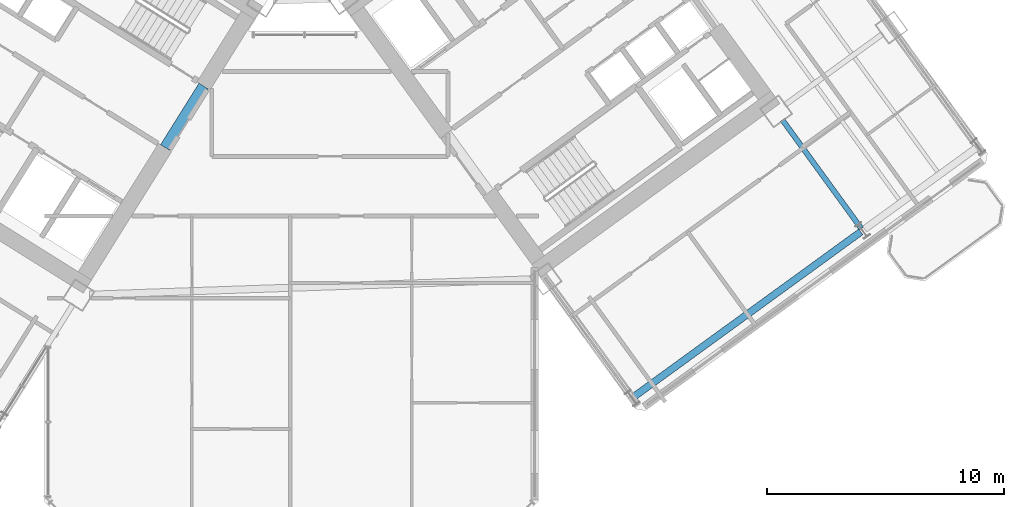
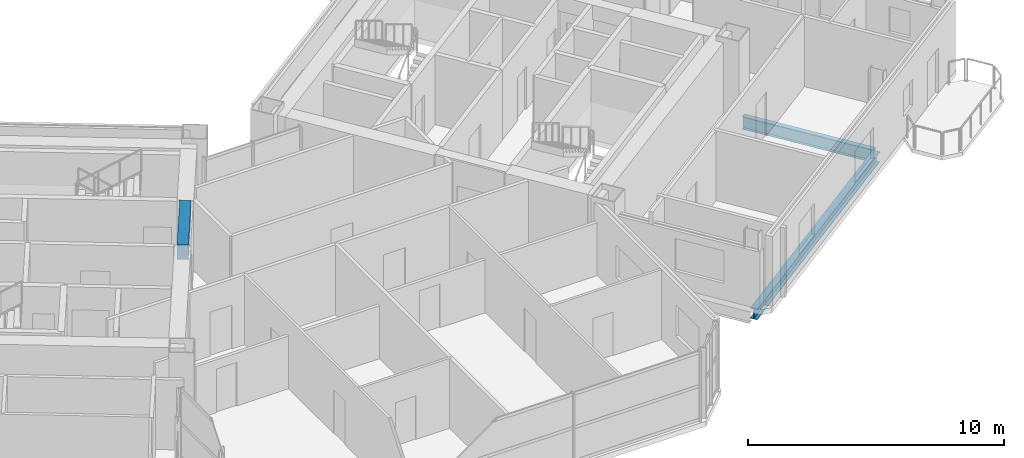
# One storey, part 10 of 28: 3 beams.
"""IFC4 building model written with IfcOpenShell, lengths in metres."""

from ifc_helpers import new_model, si_unit, direction, frame, origin, origin_2d, place, context, subcontext, project, spatial, rectangle, i_section, extrude, source, transform, mapped, material, material_profile, profile_set, type_object, element, save


model = new_model("IFC4")

# Units and contexts
model_context = context("Model", 3, precision=1e-05, world=origin(), true_north=direction((0.0, 1.0)))
body_context = subcontext(model_context, "Body", "Model", "MODEL_VIEW")
ifc_project = project(units=[si_unit("LENGTHUNIT", "METRE"), si_unit("AREAUNIT", "SQUARE_METRE"), si_unit("VOLUMEUNIT", "CUBIC_METRE"), si_unit("PLANEANGLEUNIT", "RADIAN"), si_unit("MASSUNIT", "GRAM", prefix="KILO")], contexts=[model_context])

# Site, building, storey
site_placement = place(None, origin())
site = spatial("IfcSite", under=ifc_project, at=site_placement, CompositionType="ELEMENT")
building_placement = place(site_placement, origin())
building = spatial("IfcBuilding", under=site, at=building_placement, Name="Tlacorven Tower", CompositionType="ELEMENT")
storey_placement = place(building_placement, frame((0.0, 0.0, 56.39990234375)))
storey = spatial("IfcBuildingStorey", under=building, at=storey_placement, Name="L14", CompositionType="ELEMENT", Elevation=56.39990234375)

# Beams
ifc_material_1 = material(Name="Concrete C60/75", Category="concrete")
ifc_material_profile_1 = material_profile(ifc_material_1, rectangle(XDim=0.449951171875, YDim=0.699951171875, at=origin_2d()), Name="RC 450X700")
ifc_profile_set_1 = profile_set([ifc_material_profile_1], Name="Concrete C60/75")
beam_type_1 = type_object("IfcBeamType", Name="BM-LNT-700", PredefinedType="LINTEL", material=ifc_profile_set_1)
shared_shape_1 = source(origin(), body_context, "Body", "SweptSolid", [
    extrude(rectangle(XDim=0.449951171875, YDim=0.699951171875, at=origin_2d()), origin(), (0.0, 0.0, 1.0), 3.050048828125),
])
beam_1_placement = place(storey_placement, frame((38.2998046875, 20.890625, 3.0), z_axis=(-0.529984549635, -0.848007297815, 0.0), x_axis=(0.848007297815, -0.529984549635, 0.0)))
element("IfcBeam", 1, at=beam_1_placement, inside=storey, type_object=beam_type_1, Name="L14 W core coupling lintel beam E1", PredefinedType="LINTEL", context=body_context, shape_type="MappedRepresentation", body=[
    mapped(shared_shape_1, transform((0.0, 0.0, 0.0), scale=1.0)),
])
ifc_material_2 = material(Name="Steel S355J2", Category="steel")
ifc_material_profile_2 = material_profile(ifc_material_2, i_section(OverallWidth=0.219970703125, OverallDepth=0.60009765625, WebThickness=0.011962890625, FlangeThickness=0.01904296875, at=origin_2d()), Name="IPE 600")
ifc_profile_set_2 = profile_set([ifc_material_profile_2], Name="Steel S355J2")
beam_type_2 = type_object("IfcBeamType", Name="BM-TWR-600", PredefinedType="BEAM", material=ifc_profile_set_2)
shared_shape_2 = source(origin(), body_context, "Body", "SweptSolid", [
    extrude(i_section(OverallWidth=0.219970703125, OverallDepth=0.60009765625, WebThickness=0.011962890625, FlangeThickness=0.01904296875, at=origin_2d()), origin(), (0.0, 0.0, 1.0), 5.64990234375),
])
beam_2_placement = place(storey_placement, frame((65.9990234375, 14.891845703125, -0.5498046875), z_axis=(-0.587755393186, 0.809038687444, 0.0), x_axis=(-0.809038687444, -0.587755393186, 0.0)))
element("IfcBeam", 2, at=beam_2_placement, inside=storey, type_object=beam_type_2, Name="L14 beam BM-L14-ET3-1", PredefinedType="BEAM", context=body_context, shape_type="MappedRepresentation", body=[
    mapped(shared_shape_2, transform((0.0, 0.0, 0.0), scale=1.0)),
])
ifc_material_profile_3 = material_profile(ifc_material_2, i_section(OverallWidth=0.300048828125, OverallDepth=0.489990234375, WebThickness=0.011962890625, FlangeThickness=0.02294921875, at=origin_2d()), Name="HEA 500")
ifc_profile_set_3 = profile_set([ifc_material_profile_3], Name="Steel S355J2")
beam_type_3 = type_object("IfcBeamType", Name="BM-SPN-500", PredefinedType="SPANDREL", material=ifc_profile_set_3)
shared_shape_3 = source(origin(), body_context, "Body", "SweptSolid", [
    extrude(i_section(OverallWidth=0.300048828125, OverallDepth=0.489990234375, WebThickness=0.011962890625, FlangeThickness=0.02294921875, at=origin_2d()), origin(), (0.0, 0.0, 1.0), 11.800048828125),
])
beam_3_placement = place(storey_placement, frame((56.4306640625, 7.816162109375, -0.494873046875), z_axis=(0.80900977213, 0.587795192732, 0.0), x_axis=(-0.587795192732, 0.80900977213, 0.0)))
element("IfcBeam", 3, at=beam_3_placement, inside=storey, type_object=beam_type_3, Name="L14 beam BM-L14-EL1-1", PredefinedType="SPANDREL", context=body_context, shape_type="MappedRepresentation", body=[
    mapped(shared_shape_3, transform((0.0, 0.0, 0.0), scale=1.0)),
])

save(model, "model.ifc")
